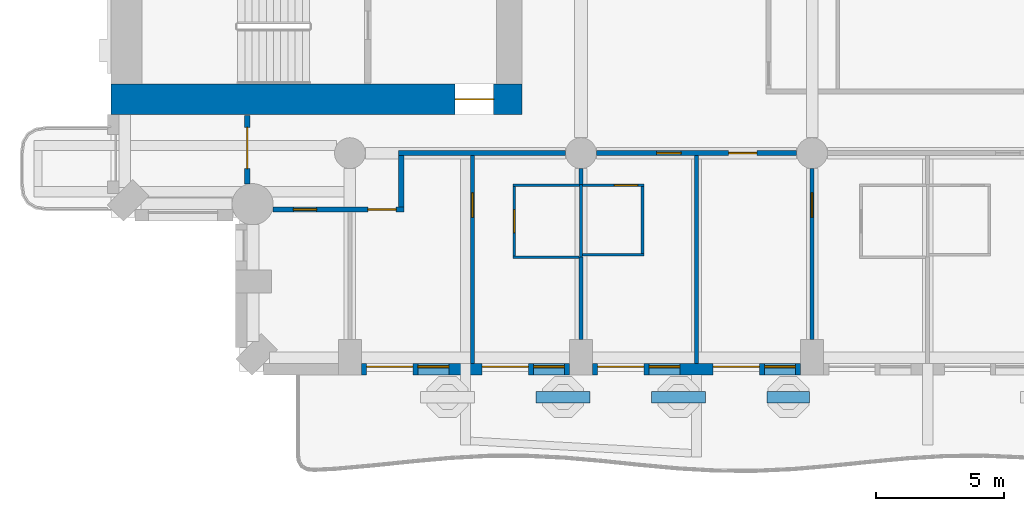
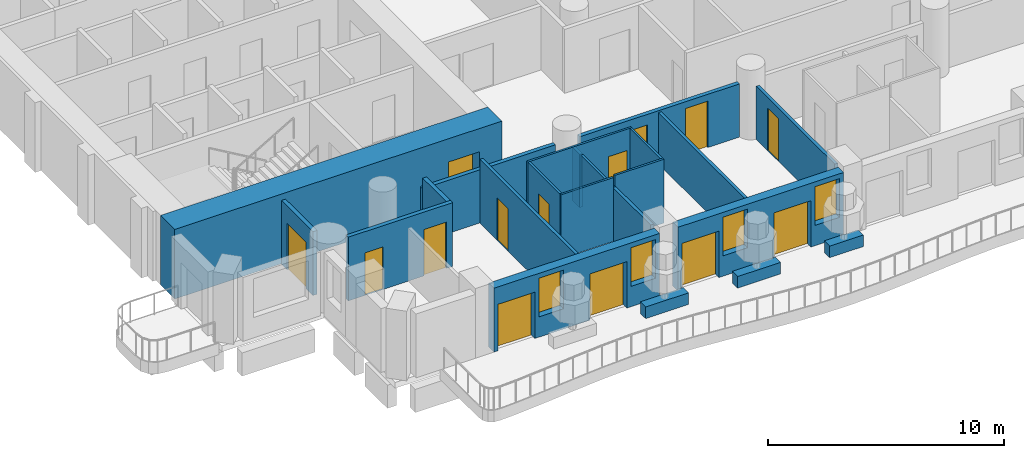
# One storey, part 3 of 20: 22 walls, 14 doors, 4 windows, 18 openings.
"""IFC4 building model written with IfcOpenShell, lengths in metres."""

from ifc_helpers import new_model, si_unit, direction, frame, frame_2d, origin, place, context, subcontext, project, spatial, rectangle, extrude, material, layer, layer_set, type_object, element, fill, save


model = new_model("IFC4")

# Units and contexts
model_context = context("Model", 3, precision=1e-05, world=origin(), true_north=direction((0.0, 1.0)))
body_context = subcontext(model_context, "Body", "Model", "MODEL_VIEW")
ifc_project = project(units=[si_unit("LENGTHUNIT", "METRE"), si_unit("AREAUNIT", "SQUARE_METRE"), si_unit("VOLUMEUNIT", "CUBIC_METRE"), si_unit("PLANEANGLEUNIT", "RADIAN"), si_unit("MASSUNIT", "GRAM", prefix="KILO")], contexts=[model_context])

# Site, building, storey
site_placement = place(None, origin())
site = spatial("IfcSite", under=ifc_project, at=site_placement, CompositionType="ELEMENT")
building_placement = place(site_placement, origin())
building = spatial("IfcBuilding", under=site, at=building_placement, Name="Cypress Arch Tower", CompositionType="ELEMENT")
storey_placement = place(building_placement, frame((0.0, 0.0, 77.10009765625)))
storey = spatial("IfcBuildingStorey", under=building, at=storey_placement, Name="L13", CompositionType="ELEMENT", Elevation=77.10009765625)

# Walls
ifc_material_1 = material(Name="Concrete C40/50, waterproofed", Category="concrete")
ifc_layer_1 = layer(ifc_material_1, 0.449951171875)
ifc_layer_set_1 = layer_set([ifc_layer_1], Name="Balcony planter wall PW450")
wall_type_1 = type_object("IfcWallType", Name="Balcony planter wall PW450", PredefinedType="SOLIDWALL", material=ifc_layer_set_1)
for number, where, z_axis, x_axis, name in (
    (1, (-13.449951171875, -27.0, 0.0), (0.0, 0.0, 1.0), (1.0, 0.0, 0.0), "Balcony planter wall L13-A03.2"),
    (2, (-8.949951171875, -27.0, 0.0), (0.0, 0.0, 1.0), (1.0, 0.0, 0.0), "Balcony planter wall L13-A03.3"),
):
    element("IfcWall", number, at=place(storey_placement, frame(where, z_axis=z_axis, x_axis=x_axis)), inside=storey, type_object=wall_type_1, Name=name, PredefinedType="SOLIDWALL", context=body_context, shape_type="SweptSolid", body=[
        extrude(rectangle(XDim=2.099853515625, YDim=0.449951171875, at=frame_2d((1.0498046875, 0.0))), origin(), (0.0, 0.0, 1.0), 0.599853515625),
    ])
wall_1_placement = place(storey_placement, frame((-4.449951171875, -27.0, 0.0), z_axis=(0.0, 0.0, 1.0), x_axis=(1.0, 0.0, 0.0)))
element("IfcWall", 3, at=wall_1_placement, inside=storey, type_object=wall_type_1, Name="Balcony planter wall L13-A03.4", PredefinedType="SOLIDWALL", context=body_context, shape_type="SweptSolid", body=[
    extrude(rectangle(XDim=1.64990234375, YDim=0.449951171875, at=frame_2d((0.824951171875, 0.0))), origin(), (0.0, 0.0, 1.0), 0.599853515625),
])

# Wall, openings, doors, windows
ifc_material_2 = material(Name="Brick (red buff blend)", Category="masonry")
ifc_layer_2 = layer(ifc_material_2, 0.449951171875)
ifc_layer_set_2 = layer_set([ifc_layer_2], Name="Brick pier and spandrel wall BW450")
wall_type_2 = type_object("IfcWallType", Name="Brick pier and spandrel wall BW450", PredefinedType="SOLIDWALL", material=ifc_layer_set_2)
wall_2_placement = place(storey_placement, frame((-20.25, -25.925048828125, 0.0), z_axis=(0.0, 0.0, 1.0), x_axis=(1.0, 0.0, 0.0)))
wall_2 = element("IfcWall", 4, at=wall_2_placement, inside=storey, type_object=wall_type_2, Name="Brick wall L13 A03.1", PredefinedType="SOLIDWALL", context=body_context, shape_type="SweptSolid", body=[
    extrude(rectangle(XDim=8.10009765625, YDim=0.449951171875, at=frame_2d((4.050048828125, 0.0))), origin(), (0.0, 0.0, 1.0), 3.2998046875),
])
opening_1_placement = place(wall_2_placement, frame((0.199951171875, 0.0, 0.0)))
opening_1 = element("IfcOpeningElement", 5, at=opening_1_placement, cuts=wall_2, Name="Opening D-L13-A03.1.1", PredefinedType="OPENING", context=body_context, shape_type="SweptSolid", body=[
    extrude(rectangle(XDim=1.800048828125, YDim=2.39990234375, at=frame_2d((0.89990234375, 1.199951171875))), frame((0.0, 0.23486328125, 0.0), z_axis=(0.0, -1.0, 0.0), x_axis=(1.0, 0.0, 0.0)), (0.0, 0.0, 1.0), 0.469970703125),
])
opening_2_placement = place(wall_2_placement, frame((2.199951171875, 0.0, 1.050048828125)))
opening_2 = element("IfcOpeningElement", 6, at=opening_2_placement, cuts=wall_2, Name="Opening W120HD", PredefinedType="OPENING", context=body_context, shape_type="SweptSolid", body=[
    extrude(rectangle(XDim=1.199951171875, YDim=2.0, at=frame_2d((0.60009765625, 1.0))), frame((0.0, 0.23486328125, 0.0), z_axis=(0.0, -1.0, 0.0), x_axis=(1.0, 0.0, 0.0)), (0.0, 0.0, 1.0), 0.469970703125),
])
opening_3_placement = place(wall_2_placement, frame((4.699951171875, 0.0, 0.0)))
opening_3 = element("IfcOpeningElement", 7, at=opening_3_placement, cuts=wall_2, Name="Opening D-L13-A03.1.2", PredefinedType="OPENING", context=body_context, shape_type="SweptSolid", body=[
    extrude(rectangle(XDim=1.800048828125, YDim=2.39990234375, at=frame_2d((0.89990234375, 1.199951171875))), frame((0.0, 0.23486328125, 0.0), z_axis=(0.0, -1.0, 0.0), x_axis=(1.0, 0.0, 0.0)), (0.0, 0.0, 1.0), 0.469970703125),
])
opening_4_placement = place(wall_2_placement, frame((6.699951171875, 0.0, 1.050048828125)))
opening_4 = element("IfcOpeningElement", 8, at=opening_4_placement, cuts=wall_2, Name="Opening W120HD", PredefinedType="OPENING", context=body_context, shape_type="SweptSolid", body=[
    extrude(rectangle(XDim=1.199951171875, YDim=2.0, at=frame_2d((0.60009765625, 1.0))), frame((0.0, 0.23486328125, 0.0), z_axis=(0.0, -1.0, 0.0), x_axis=(1.0, 0.0, 0.0)), (0.0, 0.0, 1.0), 0.469970703125),
])
ifc_material_3 = material(Name="Anodised aluminium, bronze finish, laminated low-emissivity double glazing, large-missile impact rated", Category="aluminium")
door_type_1 = type_object("IfcDoorType", Name="Balcony sliding door 1800x2400", OperationType="SLIDING_TO_LEFT", PredefinedType="DOOR", material=ifc_material_3)
door_1_placement = place(opening_1_placement, origin())
door_1 = element("IfcDoor", 9, at=door_1_placement, inside=storey, type_object=door_type_1, Name="Balcony door L13 A03.1.1", OperationType="SLIDING_TO_LEFT", OverallHeight=2.39990234375, OverallWidth=1.800048828125, PredefinedType="DOOR", context=body_context, shape_type="SweptSolid", body=[
    extrude(rectangle(XDim=1.800048828125, YDim=2.39990234375, at=frame_2d((0.89990234375, 1.199951171875))), frame((0.0, 0.1298828125, 0.0), z_axis=(0.0, -1.0, 0.0), x_axis=(1.0, 0.0, 0.0)), (0.0, 0.0, 1.0), 0.050048828125),
])
fill(opening_1, door_1)
door_2_placement = place(opening_3_placement, origin())
door_2 = element("IfcDoor", 10, at=door_2_placement, inside=storey, type_object=door_type_1, Name="Balcony door L13 A03.1.2", OperationType="SLIDING_TO_LEFT", OverallHeight=2.39990234375, OverallWidth=1.800048828125, PredefinedType="DOOR", context=body_context, shape_type="SweptSolid", body=[
    extrude(rectangle(XDim=1.800048828125, YDim=2.39990234375, at=frame_2d((0.89990234375, 1.199951171875))), frame((0.0, 0.1298828125, 0.0), z_axis=(0.0, -1.0, 0.0), x_axis=(1.0, 0.0, 0.0)), (0.0, 0.0, 1.0), 0.050048828125),
])
fill(opening_3, door_2)
ifc_material_4 = material(Name="Anodised aluminium, bronze finish, laminated low-emissivity double glazing, large-missile impact rated", Category="aluminium")
window_type = type_object("IfcWindowType", Name="Window Hotel 1200x2000 debris-rated", PartitioningType="SINGLE_PANEL", PredefinedType="WINDOW", material=ifc_material_4)
window_1_placement = place(opening_2_placement, origin())
window_1 = element("IfcWindow", 11, at=window_1_placement, inside=storey, type_object=window_type, Name="Window L13 A03.1.1", OverallHeight=2.0, OverallWidth=1.199951171875, PartitioningType="SINGLE_PANEL", PredefinedType="WINDOW", context=body_context, shape_type="SweptSolid", body=[
    extrude(rectangle(XDim=1.199951171875, YDim=2.0, at=frame_2d((0.60009765625, 1.0))), frame((0.0, 0.135009765625, 0.0), z_axis=(0.0, -1.0, 0.0), x_axis=(1.0, 0.0, 0.0)), (0.0, 0.0, 1.0), 0.06005859375),
])
fill(opening_2, window_1)
window_2_placement = place(opening_4_placement, origin())
window_2 = element("IfcWindow", 12, at=window_2_placement, inside=storey, type_object=window_type, Name="Window L13 A03.1.2", OverallHeight=2.0, OverallWidth=1.199951171875, PartitioningType="SINGLE_PANEL", PredefinedType="WINDOW", context=body_context, shape_type="SweptSolid", body=[
    extrude(rectangle(XDim=1.199951171875, YDim=2.0, at=frame_2d((0.60009765625, 1.0))), frame((0.0, 0.135009765625, 0.0), z_axis=(0.0, -1.0, 0.0), x_axis=(1.0, 0.0, 0.0)), (0.0, 0.0, 1.0), 0.06005859375),
])
fill(opening_4, window_2)

wall_3_placement = place(storey_placement, frame((-11.25, -25.925048828125, 0.0), z_axis=(0.0, 0.0, 1.0), x_axis=(1.0, 0.0, 0.0)))
wall_3 = element("IfcWall", 13, at=wall_3_placement, inside=storey, type_object=wall_type_2, Name="Brick wall L13 A03.2", PredefinedType="SOLIDWALL", context=body_context, shape_type="SweptSolid", body=[
    extrude(rectangle(XDim=8.10009765625, YDim=0.449951171875, at=frame_2d((4.050048828125, 0.0))), origin(), (0.0, 0.0, 1.0), 3.2998046875),
])
opening_5_placement = place(wall_3_placement, frame((0.199951171875, 0.0, 0.0)))
opening_5 = element("IfcOpeningElement", 14, at=opening_5_placement, cuts=wall_3, Name="Opening D-L13-A03.2.1", PredefinedType="OPENING", context=body_context, shape_type="SweptSolid", body=[
    extrude(rectangle(XDim=1.800048828125, YDim=2.39990234375, at=frame_2d((0.89990234375, 1.199951171875))), frame((0.0, 0.23486328125, 0.0), z_axis=(0.0, -1.0, 0.0), x_axis=(1.0, 0.0, 0.0)), (0.0, 0.0, 1.0), 0.469970703125),
])
opening_6_placement = place(wall_3_placement, frame((2.199951171875, 0.0, 1.050048828125)))
opening_6 = element("IfcOpeningElement", 15, at=opening_6_placement, cuts=wall_3, Name="Opening W120HD", PredefinedType="OPENING", context=body_context, shape_type="SweptSolid", body=[
    extrude(rectangle(XDim=1.199951171875, YDim=2.0, at=frame_2d((0.60009765625, 1.0))), frame((0.0, 0.23486328125, 0.0), z_axis=(0.0, -1.0, 0.0), x_axis=(1.0, 0.0, 0.0)), (0.0, 0.0, 1.0), 0.469970703125),
])
opening_7_placement = place(wall_3_placement, frame((4.699951171875, 0.0, 0.0)))
opening_7 = element("IfcOpeningElement", 16, at=opening_7_placement, cuts=wall_3, Name="Opening D-L13-A03.2.2", PredefinedType="OPENING", context=body_context, shape_type="SweptSolid", body=[
    extrude(rectangle(XDim=1.800048828125, YDim=2.39990234375, at=frame_2d((0.89990234375, 1.199951171875))), frame((0.0, 0.23486328125, 0.0), z_axis=(0.0, -1.0, 0.0), x_axis=(1.0, 0.0, 0.0)), (0.0, 0.0, 1.0), 0.469970703125),
])
opening_8_placement = place(wall_3_placement, frame((6.699951171875, 0.0, 1.050048828125)))
opening_8 = element("IfcOpeningElement", 17, at=opening_8_placement, cuts=wall_3, Name="Opening W120HD", PredefinedType="OPENING", context=body_context, shape_type="SweptSolid", body=[
    extrude(rectangle(XDim=1.199951171875, YDim=2.0, at=frame_2d((0.60009765625, 1.0))), frame((0.0, 0.23486328125, 0.0), z_axis=(0.0, -1.0, 0.0), x_axis=(1.0, 0.0, 0.0)), (0.0, 0.0, 1.0), 0.469970703125),
])
door_3_placement = place(opening_5_placement, origin())
door_3 = element("IfcDoor", 18, at=door_3_placement, inside=storey, type_object=door_type_1, Name="Balcony door L13 A03.2.1", OperationType="SLIDING_TO_LEFT", OverallHeight=2.39990234375, OverallWidth=1.800048828125, PredefinedType="DOOR", context=body_context, shape_type="SweptSolid", body=[
    extrude(rectangle(XDim=1.800048828125, YDim=2.39990234375, at=frame_2d((0.89990234375, 1.199951171875))), frame((0.0, 0.1298828125, 0.0), z_axis=(0.0, -1.0, 0.0), x_axis=(1.0, 0.0, 0.0)), (0.0, 0.0, 1.0), 0.050048828125),
])
fill(opening_5, door_3)
door_4_placement = place(opening_7_placement, origin())
door_4 = element("IfcDoor", 19, at=door_4_placement, inside=storey, type_object=door_type_1, Name="Balcony door L13 A03.2.2", OperationType="SLIDING_TO_LEFT", OverallHeight=2.39990234375, OverallWidth=1.800048828125, PredefinedType="DOOR", context=body_context, shape_type="SweptSolid", body=[
    extrude(rectangle(XDim=1.800048828125, YDim=2.39990234375, at=frame_2d((0.89990234375, 1.199951171875))), frame((0.0, 0.1298828125, 0.0), z_axis=(0.0, -1.0, 0.0), x_axis=(1.0, 0.0, 0.0)), (0.0, 0.0, 1.0), 0.050048828125),
])
fill(opening_7, door_4)
window_3_placement = place(opening_6_placement, origin())
window_3 = element("IfcWindow", 20, at=window_3_placement, inside=storey, type_object=window_type, Name="Window L13 A03.2.1", OverallHeight=2.0, OverallWidth=1.199951171875, PartitioningType="SINGLE_PANEL", PredefinedType="WINDOW", context=body_context, shape_type="SweptSolid", body=[
    extrude(rectangle(XDim=1.199951171875, YDim=2.0, at=frame_2d((0.60009765625, 1.0))), frame((0.0, 0.135009765625, 0.0), z_axis=(0.0, -1.0, 0.0), x_axis=(1.0, 0.0, 0.0)), (0.0, 0.0, 1.0), 0.06005859375),
])
fill(opening_6, window_3)
window_4_placement = place(opening_8_placement, origin())
window_4 = element("IfcWindow", 21, at=window_4_placement, inside=storey, type_object=window_type, Name="Window L13 A03.2.2", OverallHeight=2.0, OverallWidth=1.199951171875, PartitioningType="SINGLE_PANEL", PredefinedType="WINDOW", context=body_context, shape_type="SweptSolid", body=[
    extrude(rectangle(XDim=1.199951171875, YDim=2.0, at=frame_2d((0.60009765625, 1.0))), frame((0.0, 0.135009765625, 0.0), z_axis=(0.0, -1.0, 0.0), x_axis=(1.0, 0.0, 0.0)), (0.0, 0.0, 1.0), 0.06005859375),
])
fill(opening_8, window_4)

# Wall, opening, door
ifc_material_5 = material(Name="Concrete C80/95", Category="concrete")
ifc_layer_3 = layer(ifc_material_5, 1.199951171875)
ifc_layer_set_3 = layer_set([ifc_layer_3], Name="Core wall CW1200 C80/95")
wall_type_3 = type_object("IfcWallType", Name="Core wall CW1200 C80/95", PredefinedType="SHEAR", material=ifc_layer_set_3)
wall_4_placement = place(storey_placement, frame((-30.0, -15.39990234375, 0.0), z_axis=(0.0, 0.0, 1.0), x_axis=(1.0, 0.0, 0.0)))
wall_4 = element("IfcWall", 22, at=wall_4_placement, inside=storey, type_object=wall_type_3, Name="Core wall", PredefinedType="SHEAR", context=body_context, shape_type="SweptSolid", body=[
    extrude(rectangle(XDim=16.0, YDim=1.199951171875, at=frame_2d((8.0, 0.0))), origin(), (0.0, 0.0, 1.0), 3.599853515625),
])
opening_9_placement = place(wall_4_placement, frame((13.39990234375, 0.0, 0.0)))
opening_9 = element("IfcOpeningElement", 23, at=opening_9_placement, cuts=wall_4, Name="Opening D07", PredefinedType="OPENING", context=body_context, shape_type="SweptSolid", body=[
    extrude(rectangle(XDim=1.5, YDim=2.39990234375, at=frame_2d((0.75, 1.199951171875))), frame((0.0, 0.60986328125, 0.0), z_axis=(0.0, -1.0, 0.0), x_axis=(1.0, 0.0, 0.0)), (0.0, 0.0, 1.0), 1.219970703125),
])
ifc_material_6 = material(Name="Steel framed glazed door, fire resisting", Category="steel")
door_type_2 = type_object("IfcDoorType", Name="Lobby door D07 1500x2400", OperationType="DOUBLE_DOOR_SINGLE_SWING", PredefinedType="DOOR", material=ifc_material_6)
door_5_placement = place(opening_9_placement, origin())
door_5 = element("IfcDoor", 24, at=door_5_placement, inside=storey, type_object=door_type_2, Name="Lobby door", OperationType="DOUBLE_DOOR_SINGLE_SWING", OverallHeight=2.39990234375, OverallWidth=1.5, PredefinedType="DOOR", context=body_context, shape_type="SweptSolid", body=[
    extrude(rectangle(XDim=1.5, YDim=2.39990234375, at=frame_2d((0.75, 1.199951171875))), frame((0.0, 0.02490234375, 0.0), z_axis=(0.0, -1.0, 0.0), x_axis=(1.0, 0.0, 0.0)), (0.0, 0.0, 1.0), 0.050048828125),
])
fill(opening_9, door_5)

ifc_material_7 = material(Name="Concrete blockwork, plastered, rated", Category="masonry")
ifc_layer_4 = layer(ifc_material_7, 0.199951171875)
ifc_layer_set_4 = layer_set([ifc_layer_4], Name="Corridor wall FW200")
wall_type_4 = type_object("IfcWallType", Name="Corridor wall FW200", PredefinedType="PARTITIONING", material=ifc_layer_set_4)
wall_5_placement = place(storey_placement, frame((-24.699951171875, -18.7001953125, 0.0), z_axis=(0.0, 0.0, 1.0), x_axis=(0.0, 1.0, 0.0)))
wall_5 = element("IfcWall", 25, at=wall_5_placement, inside=storey, type_object=wall_type_4, Name="Corridor wall", PredefinedType="PARTITIONING", context=body_context, shape_type="SweptSolid", body=[
    extrude(rectangle(XDim=2.670166015625, YDim=0.199951171875, at=frame_2d((1.3349609375, 0.0))), origin(), (0.0, 0.0, 1.0), 3.2998046875),
])
opening_10_placement = place(wall_5_placement, frame((0.60009765625, 0.0, 0.0)))
opening_10 = element("IfcOpeningElement", 26, at=opening_10_placement, cuts=wall_5, Name="Opening D10", PredefinedType="OPENING", context=body_context, shape_type="SweptSolid", body=[
    extrude(rectangle(XDim=1.60009765625, YDim=2.39990234375, at=frame_2d((0.800048828125, 1.199951171875))), frame((0.0, 0.10986328125, 0.0), z_axis=(0.0, -1.0, 0.0), x_axis=(1.0, 0.0, 0.0)), (0.0, 0.0, 1.0), 0.219970703125),
])
ifc_material_8 = material(Name="Black aluminium glazed door", Category="aluminium")
door_type_3 = type_object("IfcDoorType", Name="Amenity door D10 1600x2400", OperationType="DOUBLE_DOOR_SINGLE_SWING", PredefinedType="DOOR", material=ifc_material_8)
door_6_placement = place(opening_10_placement, origin())
door_6 = element("IfcDoor", 27, at=door_6_placement, inside=storey, type_object=door_type_3, Name="Amenity door", OperationType="DOUBLE_DOOR_SINGLE_SWING", OverallHeight=2.39990234375, OverallWidth=1.60009765625, PredefinedType="DOOR", context=body_context, shape_type="SweptSolid", body=[
    extrude(rectangle(XDim=1.60009765625, YDim=2.39990234375, at=frame_2d((0.800048828125, 1.199951171875))), frame((0.0, 0.02490234375, 0.0), z_axis=(0.0, -1.0, 0.0), x_axis=(1.0, 0.0, 0.0)), (0.0, 0.0, 1.0), 0.050048828125),
])
fill(opening_10, door_6)

# Wall, openings, doors
wall_6_placement = place(storey_placement, frame((-23.7001953125, -19.699951171875, 0.0), z_axis=(0.0, 0.0, 1.0), x_axis=(1.0, 0.0, 0.0)))
wall_6 = element("IfcWall", 28, at=wall_6_placement, inside=storey, type_object=wall_type_4, Name="Corridor wall", PredefinedType="PARTITIONING", context=body_context, shape_type="SweptSolid", body=[
    extrude(rectangle(XDim=5.10009765625, YDim=0.199951171875, at=frame_2d((2.550048828125, 0.0))), origin(), (0.0, 0.0, 1.0), 3.2998046875),
])
opening_11_placement = place(wall_6_placement, frame((0.800048828125, 0.0, 0.0)))
opening_11 = element("IfcOpeningElement", 29, at=opening_11_placement, cuts=wall_6, Name="Opening D05", PredefinedType="OPENING", context=body_context, shape_type="SweptSolid", body=[
    extrude(rectangle(XDim=0.89990234375, YDim=2.199951171875, at=frame_2d((0.449951171875, 1.10009765625))), frame((0.0, 0.10986328125, 0.0), z_axis=(0.0, -1.0, 0.0), x_axis=(1.0, 0.0, 0.0)), (0.0, 0.0, 1.0), 0.219970703125),
])
opening_12_placement = place(wall_6_placement, frame((3.699951171875, 0.0, 0.0)))
opening_12 = element("IfcOpeningElement", 30, at=opening_12_placement, cuts=wall_6, Name="Opening D01", PredefinedType="OPENING", context=body_context, shape_type="SweptSolid", body=[
    extrude(rectangle(XDim=1.10009765625, YDim=2.39990234375, at=frame_2d((0.550048828125, 1.199951171875))), frame((0.0, 0.10986328125, 0.0), z_axis=(0.0, -1.0, 0.0), x_axis=(1.0, 0.0, 0.0)), (0.0, 0.0, 1.0), 0.219970703125),
])
ifc_material_9 = material(Name="Timber flush door", Category="wood")
door_type_4 = type_object("IfcDoorType", Name="Service door D05 900x2200", OperationType="SINGLE_SWING_LEFT", PredefinedType="DOOR", material=ifc_material_9)
door_7_placement = place(opening_11_placement, origin())
door_7 = element("IfcDoor", 31, at=door_7_placement, inside=storey, type_object=door_type_4, Name="Service door", OperationType="SINGLE_SWING_RIGHT", OverallHeight=2.199951171875, OverallWidth=0.89990234375, PredefinedType="DOOR", context=body_context, shape_type="SweptSolid", body=[
    extrude(rectangle(XDim=0.89990234375, YDim=2.199951171875, at=frame_2d((0.449951171875, 1.10009765625))), frame((0.0, 0.02490234375, 0.0), z_axis=(0.0, -1.0, 0.0), x_axis=(1.0, 0.0, 0.0)), (0.0, 0.0, 1.0), 0.050048828125),
])
fill(opening_11, door_7)
ifc_material_10 = material(Name="Timber flush door, fire resisting, self-closing", Category="wood")
door_type_5 = type_object("IfcDoorType", Name="Unit entrance door D01 1100x2400", OperationType="SINGLE_SWING_LEFT", PredefinedType="DOOR", material=ifc_material_10)
door_8_placement = place(opening_12_placement, origin())
door_8 = element("IfcDoor", 32, at=door_8_placement, inside=storey, type_object=door_type_5, Name="Unit entrance door", OperationType="SINGLE_SWING_RIGHT", OverallHeight=2.39990234375, OverallWidth=1.10009765625, PredefinedType="DOOR", context=body_context, shape_type="SweptSolid", body=[
    extrude(rectangle(XDim=1.10009765625, YDim=2.39990234375, at=frame_2d((0.550048828125, 1.199951171875))), frame((0.0, 0.02490234375, 0.0), z_axis=(0.0, -1.0, 0.0), x_axis=(1.0, 0.0, 0.0)), (0.0, 0.0, 1.0), 0.050048828125),
])
fill(opening_12, door_8)

# Walls
wall_7_placement = place(storey_placement, frame((-18.699951171875, -19.60009765625, 0.0), z_axis=(0.0, 0.0, 1.0), x_axis=(0.0, 1.0, 0.0)))
element("IfcWall", 33, at=wall_7_placement, inside=storey, type_object=wall_type_4, Name="Corridor wall", PredefinedType="PARTITIONING", context=body_context, shape_type="SweptSolid", body=[
    extrude(rectangle(XDim=2.0, YDim=0.199951171875, at=frame_2d((1.0, 0.0))), origin(), (0.0, 0.0, 1.0), 3.2998046875),
])
wall_8_placement = place(storey_placement, frame((-18.800048828125, -17.5, 0.0), z_axis=(0.0, 0.0, 1.0), x_axis=(1.0, 0.0, 0.0)))
element("IfcWall", 34, at=wall_8_placement, inside=storey, type_object=wall_type_4, Name="Corridor wall", PredefinedType="PARTITIONING", context=body_context, shape_type="SweptSolid", body=[
    extrude(rectangle(XDim=6.5, YDim=0.199951171875, at=frame_2d((3.25, 0.0))), origin(), (0.0, 0.0, 1.0), 2.75),
])

# Wall, openings, doors
wall_9_placement = place(storey_placement, frame((-11.10009765625, -17.5, 0.0), z_axis=(0.0, 0.0, 1.0), x_axis=(1.0, 0.0, 0.0)))
wall_9 = element("IfcWall", 35, at=wall_9_placement, inside=storey, type_object=wall_type_4, Name="Corridor wall", PredefinedType="PARTITIONING", context=body_context, shape_type="SweptSolid", body=[
    extrude(rectangle(XDim=7.800048828125, YDim=0.199951171875, at=frame_2d((3.89990234375, 0.0))), origin(), (0.0, 0.0, 1.0), 2.75),
])
opening_13_placement = place(wall_9_placement, frame((2.35009765625, 0.0, 0.0)))
opening_13 = element("IfcOpeningElement", 36, at=opening_13_placement, cuts=wall_9, Name="Opening D02", PredefinedType="OPENING", context=body_context, shape_type="SweptSolid", body=[
    extrude(rectangle(XDim=0.949951171875, YDim=2.199951171875, at=frame_2d((0.47509765625, 1.10009765625))), frame((0.0, 0.10986328125, 0.0), z_axis=(0.0, -1.0, 0.0), x_axis=(1.0, 0.0, 0.0)), (0.0, 0.0, 1.0), 0.219970703125),
])
opening_14_placement = place(wall_9_placement, frame((5.14990234375, 0.0, 0.0)))
opening_14 = element("IfcOpeningElement", 37, at=opening_14_placement, cuts=wall_9, Name="Opening D01", PredefinedType="OPENING", context=body_context, shape_type="SweptSolid", body=[
    extrude(rectangle(XDim=1.10009765625, YDim=2.39990234375, at=frame_2d((0.550048828125, 1.199951171875))), frame((0.0, 0.10986328125, 0.0), z_axis=(0.0, -1.0, 0.0), x_axis=(1.0, 0.0, 0.0)), (0.0, 0.0, 1.0), 0.219970703125),
])
ifc_material_11 = material(Name="Timber flush door, fire resisting", Category="wood")
door_type_6 = type_object("IfcDoorType", Name="Room door D02 950x2200", OperationType="SINGLE_SWING_LEFT", PredefinedType="DOOR", material=ifc_material_11)
door_9_placement = place(opening_13_placement, origin())
door_9 = element("IfcDoor", 38, at=door_9_placement, inside=storey, type_object=door_type_6, Name="Room door", OperationType="SINGLE_SWING_LEFT", OverallHeight=2.199951171875, OverallWidth=0.949951171875, PredefinedType="DOOR", context=body_context, shape_type="SweptSolid", body=[
    extrude(rectangle(XDim=0.949951171875, YDim=2.199951171875, at=frame_2d((0.47509765625, 1.10009765625))), frame((0.0, 0.02490234375, 0.0), z_axis=(0.0, -1.0, 0.0), x_axis=(1.0, 0.0, 0.0)), (0.0, 0.0, 1.0), 0.050048828125),
])
fill(opening_13, door_9)
door_10_placement = place(opening_14_placement, origin())
door_10 = element("IfcDoor", 39, at=door_10_placement, inside=storey, type_object=door_type_5, Name="Unit entrance door", OperationType="SINGLE_SWING_RIGHT", OverallHeight=2.39990234375, OverallWidth=1.10009765625, PredefinedType="DOOR", context=body_context, shape_type="SweptSolid", body=[
    extrude(rectangle(XDim=1.10009765625, YDim=2.39990234375, at=frame_2d((0.550048828125, 1.199951171875))), frame((0.0, 0.02490234375, 0.0), z_axis=(0.0, -1.0, 0.0), x_axis=(1.0, 0.0, 0.0)), (0.0, 0.0, 1.0), 0.050048828125),
])
fill(opening_14, door_10)

# Wall, opening, door
ifc_material_12 = material(Name="Blockwork, plastered both sides", Category="masonry")
ifc_layer_5 = layer(ifc_material_12, 0.14990234375)
ifc_layer_set_5 = layer_set([ifc_layer_5], Name="Partition PW150")
wall_type_5 = type_object("IfcWallType", Name="Partition PW150", PredefinedType="PARTITIONING", material=ifc_layer_set_5)
wall_10_placement = place(storey_placement, frame((-15.930908203125, -25.699951171875, 0.0), z_axis=(0.0, 0.0, 1.0), x_axis=(0.0, 1.0, 0.0)))
wall_10 = element("IfcWall", 40, at=wall_10_placement, inside=storey, type_object=wall_type_5, Name="Partition", PredefinedType="PARTITIONING", context=body_context, shape_type="SweptSolid", body=[
    extrude(rectangle(XDim=8.099853515625, YDim=0.14990234375, at=frame_2d((4.0498046875, 0.0))), origin(), (0.0, 0.0, 1.0), 3.2998046875),
])
opening_15_placement = place(wall_10_placement, frame((5.699951171875, 0.0, 0.0)))
opening_15 = element("IfcOpeningElement", 41, at=opening_15_placement, cuts=wall_10, Name="Opening D12", PredefinedType="OPENING", context=body_context, shape_type="SweptSolid", body=[
    extrude(rectangle(XDim=0.949951171875, YDim=2.199951171875, at=frame_2d((0.47509765625, 1.10009765625))), frame((0.0, 0.0849609375, 0.0), z_axis=(0.0, -1.0, 0.0), x_axis=(1.0, 0.0, 0.0)), (0.0, 0.0, 1.0), 0.169921875),
])
ifc_material_13 = material(Name="Timber flush door", Category="wood")
door_type_7 = type_object("IfcDoorType", Name="Room door D12 950x2200", OperationType="SINGLE_SWING_LEFT", PredefinedType="DOOR", material=ifc_material_13)
door_11_placement = place(opening_15_placement, origin())
door_11 = element("IfcDoor", 42, at=door_11_placement, inside=storey, type_object=door_type_7, Name="Room door", OperationType="SINGLE_SWING_RIGHT", OverallHeight=2.199951171875, OverallWidth=0.949951171875, PredefinedType="DOOR", context=body_context, shape_type="SweptSolid", body=[
    extrude(rectangle(XDim=0.949951171875, YDim=2.199951171875, at=frame_2d((0.47509765625, 1.10009765625))), frame((0.0, 0.02490234375, 0.0), z_axis=(0.0, -1.0, 0.0), x_axis=(1.0, 0.0, 0.0)), (0.0, 0.0, 1.0), 0.050048828125),
])
fill(opening_15, door_11)

# Walls
wall_11_placement = place(storey_placement, frame((-11.699951171875, -24.75, 0.0), z_axis=(0.0, 0.0, 1.0), x_axis=(0.0, 1.0, 0.0)))
element("IfcWall", 43, at=wall_11_placement, inside=storey, type_object=wall_type_5, Name="Partition", PredefinedType="PARTITIONING", context=body_context, shape_type="SweptSolid", body=[
    extrude(rectangle(XDim=3.199951171875, YDim=0.14990234375, at=frame_2d((1.60009765625, 0.0))), origin(), (0.0, 0.0, 1.0), 2.75),
])
wall_12_placement = place(storey_placement, frame((-11.699951171875, -18.72998046875, 0.0), z_axis=(0.0, 0.0, 1.0), x_axis=(0.0, 1.0, 0.0)))
element("IfcWall", 44, at=wall_12_placement, inside=storey, type_object=wall_type_5, Name="Partition", PredefinedType="PARTITIONING", context=body_context, shape_type="SweptSolid", body=[
    extrude(rectangle(XDim=0.6298828125, YDim=0.14990234375, at=frame_2d((0.31494140625, 0.0))), origin(), (0.0, 0.0, 1.0), 2.75),
])
wall_13_placement = place(storey_placement, frame((-7.199951171875, -25.699951171875, 0.0), z_axis=(0.0, 0.0, 1.0), x_axis=(0.0, 1.0, 0.0)))
element("IfcWall", 45, at=wall_13_placement, inside=storey, type_object=wall_type_5, Name="Partition", PredefinedType="PARTITIONING", context=body_context, shape_type="SweptSolid", body=[
    extrude(rectangle(XDim=8.099853515625, YDim=0.14990234375, at=frame_2d((4.0498046875, 0.0))), origin(), (0.0, 0.0, 1.0), 2.64990234375),
])

# Wall, opening, door
wall_14_placement = place(storey_placement, frame((-2.699951171875, -24.75, 0.0), z_axis=(0.0, 0.0, 1.0), x_axis=(0.0, 1.0, 0.0)))
wall_14 = element("IfcWall", 46, at=wall_14_placement, inside=storey, type_object=wall_type_5, Name="Partition", PredefinedType="PARTITIONING", context=body_context, shape_type="SweptSolid", body=[
    extrude(rectangle(XDim=6.64990234375, YDim=0.14990234375, at=frame_2d((3.324951171875, 0.0))), origin(), (0.0, 0.0, 1.0), 2.75),
])
opening_16_placement = place(wall_14_placement, frame((4.75, 0.0, 0.0)))
opening_16 = element("IfcOpeningElement", 47, at=opening_16_placement, cuts=wall_14, Name="Opening D12", PredefinedType="OPENING", context=body_context, shape_type="SweptSolid", body=[
    extrude(rectangle(XDim=0.949951171875, YDim=2.199951171875, at=frame_2d((0.47509765625, 1.10009765625))), frame((0.0, 0.0849609375, 0.0), z_axis=(0.0, -1.0, 0.0), x_axis=(1.0, 0.0, 0.0)), (0.0, 0.0, 1.0), 0.169921875),
])
door_12_placement = place(opening_16_placement, origin())
door_12 = element("IfcDoor", 48, at=door_12_placement, inside=storey, type_object=door_type_7, Name="Room door", OperationType="SINGLE_SWING_RIGHT", OverallHeight=2.199951171875, OverallWidth=0.949951171875, PredefinedType="DOOR", context=body_context, shape_type="SweptSolid", body=[
    extrude(rectangle(XDim=0.949951171875, YDim=2.199951171875, at=frame_2d((0.47509765625, 1.10009765625))), frame((0.0, 0.02490234375, 0.0), z_axis=(0.0, -1.0, 0.0), x_axis=(1.0, 0.0, 0.0)), (0.0, 0.0, 1.0), 0.050048828125),
])
fill(opening_16, door_12)

ifc_material_14 = material(Name="Moisture resistant board on steel studs, tiled", Category="steel")
ifc_layer_6 = layer(ifc_material_14, 0.10009765625)
ifc_layer_set_6 = layer_set([ifc_layer_6], Name="Wet wall PW100")
wall_type_6 = type_object("IfcWallType", Name="Wet wall PW100", PredefinedType="PARTITIONING", material=ifc_layer_set_6)
wall_15_placement = place(storey_placement, frame((-14.2958984375, -21.5, 0.0), z_axis=(0.0, 0.0, 1.0), x_axis=(0.0, 1.0, 0.0)))
wall_15 = element("IfcWall", 49, at=wall_15_placement, inside=storey, type_object=wall_type_6, Name="Wet wall", PredefinedType="PARTITIONING", context=body_context, shape_type="SweptSolid", body=[
    extrude(rectangle(XDim=2.699951171875, YDim=0.10009765625, at=frame_2d((1.35009765625, 0.0))), origin(), (0.0, 0.0, 1.0), 3.2998046875),
])
opening_17_placement = place(wall_15_placement, frame((0.89990234375, 0.0, 0.0)))
opening_17 = element("IfcOpeningElement", 50, at=opening_17_placement, cuts=wall_15, Name="Opening D03", PredefinedType="OPENING", context=body_context, shape_type="SweptSolid", body=[
    extrude(rectangle(XDim=0.89990234375, YDim=2.199951171875, at=frame_2d((0.449951171875, 1.10009765625))), frame((0.0, 0.06005859375, 0.0), z_axis=(0.0, -1.0, 0.0), x_axis=(1.0, 0.0, 0.0)), (0.0, 0.0, 1.0), 0.1201171875),
])
ifc_material_15 = material(Name="Timber flush door, moisture resistant", Category="wood")
door_type_8 = type_object("IfcDoorType", Name="Bathroom door D03 900x2200", OperationType="SINGLE_SWING_LEFT", PredefinedType="DOOR", material=ifc_material_15)
door_13_placement = place(opening_17_placement, origin())
door_13 = element("IfcDoor", 51, at=door_13_placement, inside=storey, type_object=door_type_8, Name="Bathroom door", OperationType="SINGLE_SWING_LEFT", OverallHeight=2.199951171875, OverallWidth=0.89990234375, PredefinedType="DOOR", context=body_context, shape_type="SweptSolid", body=[
    extrude(rectangle(XDim=0.89990234375, YDim=2.199951171875, at=frame_2d((0.449951171875, 1.10009765625))), frame((0.0, 0.02490234375, 0.0), z_axis=(0.0, -1.0, 0.0), x_axis=(1.0, 0.0, 0.0)), (0.0, 0.0, 1.0), 0.050048828125),
])
fill(opening_17, door_13)

# Wall
wall_16_placement = place(storey_placement, frame((-14.345947265625, -21.550048828125, 0.0), z_axis=(0.0, 0.0, 1.0), x_axis=(1.0, 0.0, 0.0)))
element("IfcWall", 52, at=wall_16_placement, inside=storey, type_object=wall_type_6, Name="Wet wall", PredefinedType="PARTITIONING", context=body_context, shape_type="SweptSolid", body=[
    extrude(rectangle(XDim=2.571044921875, YDim=0.10009765625, at=frame_2d((1.28564453125, 0.0))), origin(), (0.0, 0.0, 1.0), 3.2998046875),
])

# Wall, opening, door
wall_17_placement = place(storey_placement, frame((-14.345947265625, -18.75, 0.0), z_axis=(0.0, 0.0, 1.0), x_axis=(1.0, 0.0, 0.0)))
wall_17 = element("IfcWall", 53, at=wall_17_placement, inside=storey, type_object=wall_type_6, Name="Wet wall", PredefinedType="PARTITIONING", context=body_context, shape_type="SweptSolid", body=[
    extrude(rectangle(XDim=5.092041015625, YDim=0.10009765625, at=frame_2d((2.5458984375, 0.0))), origin(), (0.0, 0.0, 1.0), 3.2998046875),
])
opening_18_placement = place(wall_17_placement, frame((3.949951171875, 0.0, 0.0)))
opening_18 = element("IfcOpeningElement", 54, at=opening_18_placement, cuts=wall_17, Name="Opening D03", PredefinedType="OPENING", context=body_context, shape_type="SweptSolid", body=[
    extrude(rectangle(XDim=0.89990234375, YDim=2.199951171875, at=frame_2d((0.449951171875, 1.10009765625))), frame((0.0, 0.06005859375, 0.0), z_axis=(0.0, -1.0, 0.0), x_axis=(1.0, 0.0, 0.0)), (0.0, 0.0, 1.0), 0.1201171875),
])
door_14_placement = place(opening_18_placement, origin())
door_14 = element("IfcDoor", 55, at=door_14_placement, inside=storey, type_object=door_type_8, Name="Bathroom door", OperationType="SINGLE_SWING_LEFT", OverallHeight=2.199951171875, OverallWidth=0.89990234375, PredefinedType="DOOR", context=body_context, shape_type="SweptSolid", body=[
    extrude(rectangle(XDim=0.89990234375, YDim=2.199951171875, at=frame_2d((0.449951171875, 1.10009765625))), frame((0.0, 0.02490234375, 0.0), z_axis=(0.0, -1.0, 0.0), x_axis=(1.0, 0.0, 0.0)), (0.0, 0.0, 1.0), 0.050048828125),
])
fill(opening_18, door_14)

# Walls
wall_18_placement = place(storey_placement, frame((-11.699951171875, -21.550048828125, 0.0), z_axis=(0.0, 0.0, 1.0), x_axis=(0.0, 1.0, 0.0)))
element("IfcWall", 56, at=wall_18_placement, inside=storey, type_object=wall_type_6, Name="Wet wall", PredefinedType="PARTITIONING", context=body_context, shape_type="SweptSolid", body=[
    extrude(rectangle(XDim=2.820068359375, YDim=0.10009765625, at=frame_2d((1.41015625, 0.0))), origin(), (0.0, 0.0, 1.0), 2.75),
])
wall_19_placement = place(storey_placement, frame((-11.64990234375, -21.449951171875, 0.0), z_axis=(0.0, 0.0, 1.0), x_axis=(1.0, 0.0, 0.0)))
element("IfcWall", 57, at=wall_19_placement, inside=storey, type_object=wall_type_6, Name="Wet wall", PredefinedType="PARTITIONING", context=body_context, shape_type="SweptSolid", body=[
    extrude(rectangle(XDim=2.39599609375, YDim=0.10009765625, at=frame_2d((1.197998046875, 0.0))), origin(), (0.0, 0.0, 1.0), 3.2998046875),
])
wall_20_placement = place(storey_placement, frame((-9.303955078125, -21.39990234375, 0.0), z_axis=(0.0, 0.0, 1.0), x_axis=(0.0, 1.0, 0.0)))
element("IfcWall", 58, at=wall_20_placement, inside=storey, type_object=wall_type_6, Name="Wet wall", PredefinedType="PARTITIONING", context=body_context, shape_type="SweptSolid", body=[
    extrude(rectangle(XDim=2.599853515625, YDim=0.10009765625, at=frame_2d((1.2998046875, 0.0))), origin(), (0.0, 0.0, 1.0), 3.2998046875),
])

save(model, "model.ifc")
